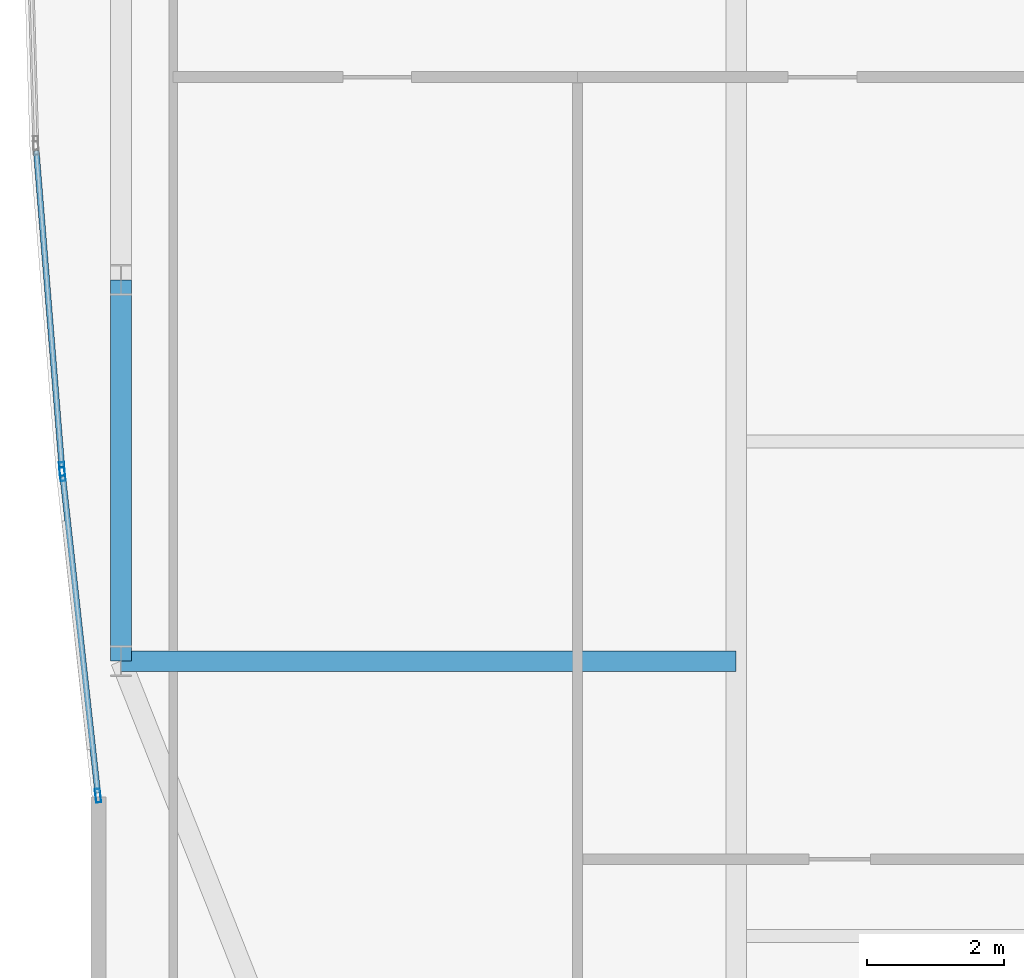
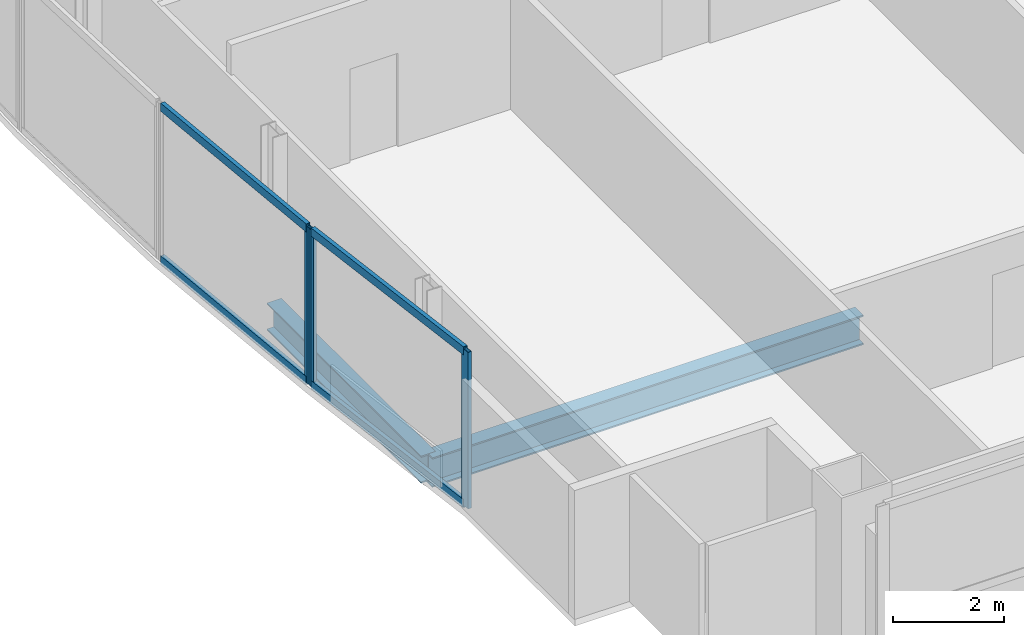
# One storey, part 6 of 29: 7 members, 2 beams, 2 elements without a shape of their own.
"""IFC4 building model written with IfcOpenShell, lengths in metres."""

from ifc_helpers import new_model, si_unit, direction, frame, origin, origin_2d, place, context, subcontext, project, spatial, hollow_rectangle, i_section, extrude, material, material_profile, profile_set, type_object, element, aggregate, save


model = new_model("IFC4")

# Units and contexts
model_context = context("Model", 3, precision=1e-05, world=origin(), true_north=direction((0.0, 1.0)))
body_context = subcontext(model_context, "Body", "Model", "MODEL_VIEW")
ifc_project = project(units=[si_unit("LENGTHUNIT", "METRE"), si_unit("AREAUNIT", "SQUARE_METRE"), si_unit("VOLUMEUNIT", "CUBIC_METRE"), si_unit("PLANEANGLEUNIT", "RADIAN"), si_unit("MASSUNIT", "GRAM", prefix="KILO")], contexts=[model_context])

# Site, building, storey
site_placement = place(None, origin())
site = spatial("IfcSite", under=ifc_project, at=site_placement, CompositionType="ELEMENT")
building_placement = place(site_placement, origin())
building = spatial("IfcBuilding", under=site, at=building_placement, Name="Khoronbel Lancet Exchange", CompositionType="ELEMENT")
storey_placement = place(building_placement, frame((0.0, 0.0, 242.60009765625)))
storey = spatial("IfcBuildingStorey", under=building, at=storey_placement, Name="L62", CompositionType="ELEMENT", Elevation=242.60009765625)

# Beams
ifc_material_1 = material(Name="Steel S355", Category="steel")
ifc_material_profile_1 = material_profile(ifc_material_1, i_section(OverallWidth=0.300048828125, OverallDepth=0.64990234375, WebThickness=0.01611328125, FlangeThickness=0.031005859375, at=origin_2d()), Name="HEB 650")
ifc_profile_set_1 = profile_set([ifc_material_profile_1], Name="Steel S355")
beam_type_1 = type_object("IfcBeamType", Name="BM-BG4", PredefinedType="BEAM", material=ifc_profile_set_1)
beam_1_placement = place(storey_placement, frame((9.27001953125, 19.199951171875, -0.485107421875), z_axis=(1.0, 0.0, 0.0), x_axis=(0.0, 1.0, 0.0)))
element("IfcBeam", 1, at=beam_1_placement, inside=storey, type_object=beam_type_1, Name="Level L62 west lens tie girder LG1W", PredefinedType="BEAM", context=body_context, shape_type="SweptSolid", body=[
    extrude(i_section(OverallWidth=0.300048828125, OverallDepth=0.64990234375, WebThickness=0.01611328125, FlangeThickness=0.031005859375, at=origin_2d()), origin(), (0.0, 0.0, 1.0), 8.955078125),
])
ifc_material_profile_2 = material_profile(ifc_material_1, i_section(OverallWidth=0.300048828125, OverallDepth=0.60009765625, WebThickness=0.015380859375, FlangeThickness=0.030029296875, at=origin_2d()), Name="HEB 600")
ifc_profile_set_2 = profile_set([ifc_material_profile_2], Name="Steel S355")
beam_type_2 = type_object("IfcBeamType", Name="BM-BSP2", PredefinedType="SPANDREL", material=ifc_profile_set_2)
beam_2_placement = place(storey_placement, frame((9.27001953125, 24.75, -0.460205078125), z_axis=(0.0, -1.0, 0.0), x_axis=(1.0, 0.0, 0.0)))
element("IfcBeam", 2, at=beam_2_placement, inside=storey, type_object=beam_type_2, Name="Level L62 perimeter spandrel beam SP20", PredefinedType="SPANDREL", context=body_context, shape_type="SweptSolid", body=[
    extrude(i_section(OverallWidth=0.300048828125, OverallDepth=0.60009765625, WebThickness=0.015380859375, FlangeThickness=0.030029296875, at=origin_2d()), origin(), (0.0, 0.0, 1.0), 5.550048828125),
])

# Curtain wall, members
ifc_material_2 = material(Name="Low-E Solar Control Insulating Glass", Category="glass")
curtain_wall_type = type_object("IfcCurtainWallType", Name="CW-4", PredefinedType="NOTDEFINED", material=ifc_material_2)
curtain_wall_1_placement = place(storey_placement, origin())
curtain_wall_1 = element("IfcCurtainWall", 3, at=curtain_wall_1_placement, inside=storey, type_object=curtain_wall_type, Name="Unitised curtain wall CW-L62-E04", PredefinedType="NOTDEFINED")
ifc_material_3 = material(Name="Bronze-Anodised Aluminium 6063-T6", Category="aluminium")
ifc_material_profile_3 = material_profile(ifc_material_3, hollow_rectangle(XDim=0.074951171875, YDim=0.199951171875, WallThickness=0.0048828125, at=origin_2d()), Name="ALU MULLION 75x200")
ifc_profile_set_3 = profile_set([ifc_material_profile_3], Name="Bronze-Anodised Aluminium 6063-T6")
member_type_1 = type_object("IfcMemberType", Name="MEM-CWM2", PredefinedType="MULLION", material=ifc_profile_set_3)
member_1_placement = place(storey_placement, frame((8.935791015625, 17.2421875, 0.0), z_axis=(0.0, 0.0, 1.0), x_axis=(-0.993947317123, -0.109857775256, 0.0)))
member_1 = element("IfcMember", 4, at=member_1_placement, type_object=member_type_1, Name="CW4 mullion 1", PredefinedType="MULLION", context=body_context, shape_type="SweptSolid", body=[
    extrude(hollow_rectangle(XDim=0.074951171875, YDim=0.199951171875, WallThickness=0.0048828125, at=origin_2d()), origin(), (0.0, 0.0, 1.0), 3.43994140625),
])
member_2_placement = place(storey_placement, frame((8.418701171875, 21.92138671875, 0.0), z_axis=(0.0, 0.0, 1.0), x_axis=(-0.993947317123, -0.109857775256, 0.0)))
member_2 = element("IfcMember", 5, at=member_2_placement, type_object=member_type_1, Name="CW4 mullion 2", PredefinedType="MULLION", context=body_context, shape_type="SweptSolid", body=[
    extrude(hollow_rectangle(XDim=0.074951171875, YDim=0.199951171875, WallThickness=0.0048828125, at=origin_2d()), origin(), (0.0, 0.0, 1.0), 3.43994140625),
])

# Curtain wall, member
curtain_wall_2_placement = place(storey_placement, origin())
curtain_wall_2 = element("IfcCurtainWall", 6, at=curtain_wall_2_placement, inside=storey, type_object=curtain_wall_type, Name="Unitised curtain wall CW-L62-E05", PredefinedType="NOTDEFINED")
member_3_placement = place(storey_placement, frame((8.41162109375, 21.99609375, 0.0), z_axis=(0.0, 0.0, 1.0), x_axis=(-0.996743296731, -0.080639943095, 0.0)))
member_3 = element("IfcMember", 7, at=member_3_placement, type_object=member_type_1, Name="CW4 mullion 1", PredefinedType="MULLION", context=body_context, shape_type="SweptSolid", body=[
    extrude(hollow_rectangle(XDim=0.074951171875, YDim=0.199951171875, WallThickness=0.0048828125, at=origin_2d()), origin(), (0.0, 0.0, 1.0), 3.43994140625),
])

# Member
ifc_material_profile_4 = material_profile(ifc_material_3, hollow_rectangle(XDim=0.0849609375, YDim=0.179931640625, WallThickness=0.0048828125, at=origin_2d()), Name="ALU TRANSOM 85x180")
ifc_profile_set_4 = profile_set([ifc_material_profile_4], Name="Bronze-Anodised Aluminium 6063-T6")
member_type_2 = type_object("IfcMemberType", Name="MEM-CWT1", PredefinedType="USERDEFINED", material=ifc_profile_set_4)
member_4_placement = place(storey_placement, frame((8.931640625, 17.279541015625, 0.04248046875), z_axis=(-0.109829937442, 0.993950393552, 0.0), x_axis=(-0.993950393552, -0.109829937442, 0.0)))
member_4 = element("IfcMember", 8, at=member_4_placement, type_object=member_type_2, Name="CW4 transom 1.1", ObjectType="TRANSOM", PredefinedType="USERDEFINED", context=body_context, shape_type="SweptSolid", body=[
    extrude(hollow_rectangle(XDim=0.0849609375, YDim=0.179931640625, WallThickness=0.0048828125, at=origin_2d()), origin(), (0.0, 0.0, 1.0), 4.632568359375),
])

member_5_placement = place(storey_placement, frame((8.931640625, 17.279541015625, 3.3974609375), z_axis=(-0.109829937442, 0.993950393552, 0.0), x_axis=(-0.993950393552, -0.109829937442, 0.0)))
member_5 = element("IfcMember", 9, at=member_5_placement, type_object=member_type_2, Name="CW4 transom 1.2", ObjectType="TRANSOM", PredefinedType="USERDEFINED", context=body_context, shape_type="SweptSolid", body=[
    extrude(hollow_rectangle(XDim=0.0849609375, YDim=0.179931640625, WallThickness=0.0048828125, at=origin_2d()), origin(), (0.0, 0.0, 1.0), 4.632568359375),
])

aggregate(curtain_wall_1, [member_1, member_2, member_4, member_5])

member_6_placement = place(storey_placement, frame((8.408447265625, 22.033447265625, 0.04248046875), z_axis=(-0.080626814238, 0.996744358813, 0.0), x_axis=(-0.996744358813, -0.080626814238, 0.0)))
member_6 = element("IfcMember", 10, at=member_6_placement, type_object=member_type_2, Name="CW4 transom 1.1", ObjectType="TRANSOM", PredefinedType="USERDEFINED", context=body_context, shape_type="SweptSolid", body=[
    extrude(hollow_rectangle(XDim=0.0849609375, YDim=0.179931640625, WallThickness=0.0048828125, at=origin_2d()), origin(), (0.0, 0.0, 1.0), 4.611572265625),
])

member_7_placement = place(storey_placement, frame((8.408447265625, 22.033447265625, 3.3974609375), z_axis=(-0.080626814238, 0.996744358813, 0.0), x_axis=(-0.996744358813, -0.080626814238, 0.0)))
member_7 = element("IfcMember", 11, at=member_7_placement, type_object=member_type_2, Name="CW4 transom 1.2", ObjectType="TRANSOM", PredefinedType="USERDEFINED", context=body_context, shape_type="SweptSolid", body=[
    extrude(hollow_rectangle(XDim=0.0849609375, YDim=0.179931640625, WallThickness=0.0048828125, at=origin_2d()), origin(), (0.0, 0.0, 1.0), 4.611572265625),
])

aggregate(curtain_wall_2, [member_3, member_6, member_7])

save(model, "model.ifc")
